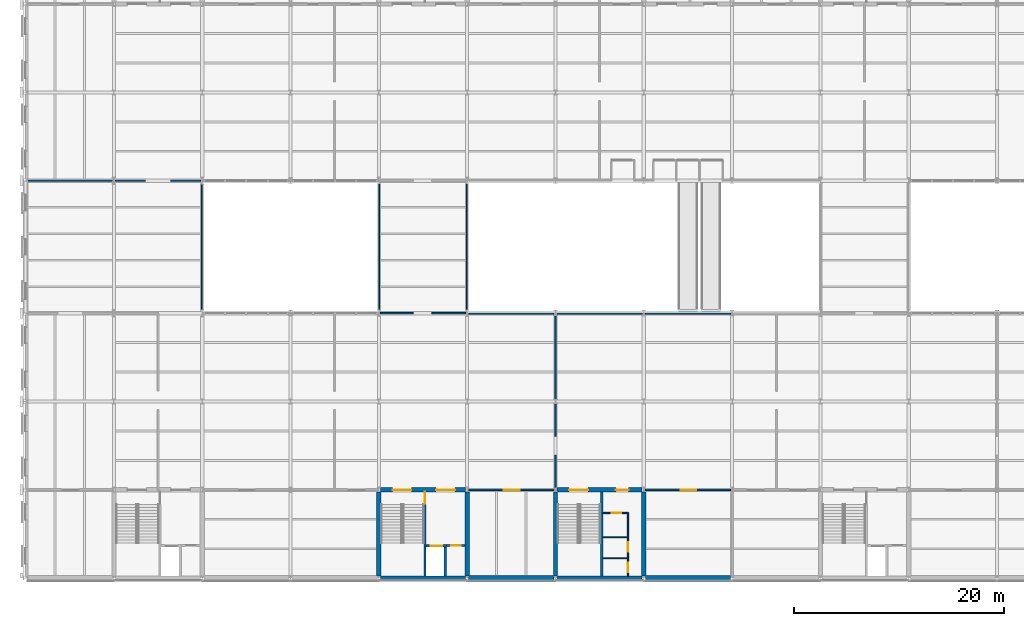
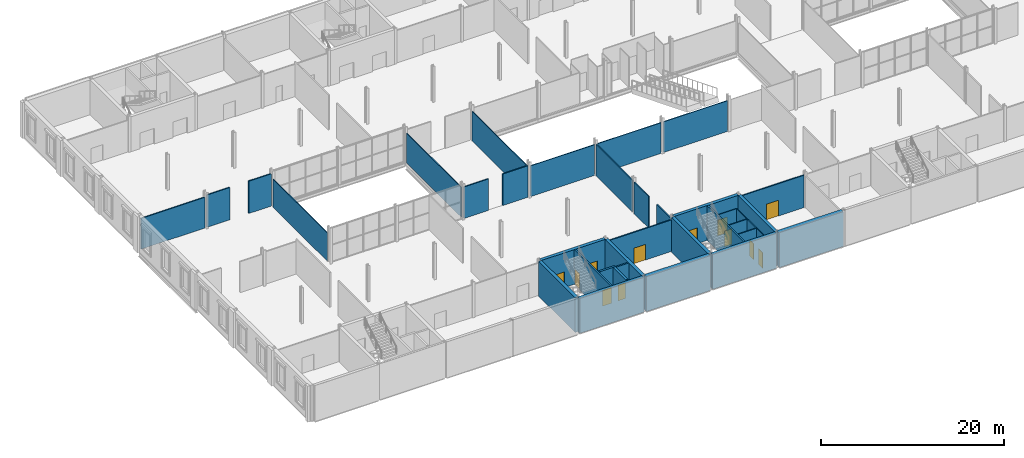
# One storey, part 29 of 52: 37 walls, 12 doors, 12 openings.
"""IFC4 building model written with IfcOpenShell, lengths in metres."""

from ifc_helpers import new_model, si_unit, direction, frame, frame_2d, origin, place, context, subcontext, project, spatial, rectangle, extrude, material, layer, layer_set, type_object, element, fill, save


model = new_model("IFC4")

# Units and contexts
model_context = context("Model", 3, precision=1e-05, world=origin(), true_north=direction((0.0, 1.0)))
body_context = subcontext(model_context, "Body", "Model", "MODEL_VIEW")
ifc_project = project(units=[si_unit("LENGTHUNIT", "METRE"), si_unit("AREAUNIT", "SQUARE_METRE"), si_unit("VOLUMEUNIT", "CUBIC_METRE"), si_unit("PLANEANGLEUNIT", "RADIAN"), si_unit("MASSUNIT", "GRAM", prefix="KILO")], contexts=[model_context])

# Site, building, storey
site_placement = place(None, origin())
site = spatial("IfcSite", under=ifc_project, at=site_placement, CompositionType="ELEMENT")
building_placement = place(site_placement, origin())
building = spatial("IfcBuilding", under=site, at=building_placement, Name="Galleria Vessillo Department Store", CompositionType="ELEMENT")
storey_placement = place(building_placement, frame((0.0, 0.0, 16.199951171875)))
storey = spatial("IfcBuildingStorey", under=building, at=storey_placement, Name="L03", CompositionType="ELEMENT", Elevation=16.199951171875)

# Walls
ifc_material_1 = material(Name="Fire-resisting glass in steel frame S355 J2", Category="steel")
ifc_layer_1 = layer(ifc_material_1, 0.10009765625)
ifc_layer_set_1 = layer_set([ifc_layer_1], Name="Fire-resisting glass in steel frame S355 J2")
wall_type_1 = type_object("IfcWallType", Name="Fire-resisting glazed screen EI 120-Sa 100 mm", PredefinedType="PARTITIONING", material=ifc_layer_set_1)
wall_1_placement = place(storey_placement, frame((42.152587890625, 25.14990234375, 0.0), z_axis=(0.0, 0.0, 1.0), x_axis=(1.0, 0.0, 0.0)))
element("IfcWall", 1, at=wall_1_placement, inside=storey, type_object=wall_type_1, Name="Fire screen, atrium edge L03", PredefinedType="PARTITIONING", context=body_context, shape_type="SweptSolid", body=[
    extrude(rectangle(XDim=8.094482421875, YDim=0.10009765625, at=frame_2d((4.04736328125, 0.0))), origin(), (0.0, 0.0, 1.0), 4.110107421875),
])
wall_2_placement = place(storey_placement, frame((50.552978515625, 25.14990234375, 0.0), z_axis=(0.0, 0.0, 1.0), x_axis=(1.0, 0.0, 0.0)))
element("IfcWall", 2, at=wall_2_placement, inside=storey, type_object=wall_type_1, Name="Fire screen, atrium edge L03", PredefinedType="PARTITIONING", context=body_context, shape_type="SweptSolid", body=[
    extrude(rectangle(XDim=8.093994140625, YDim=0.10009765625, at=frame_2d((4.046875, 0.0))), origin(), (0.0, 0.0, 1.0), 4.110107421875),
])
wall_3_placement = place(storey_placement, frame((58.952880859375, 25.14990234375, 0.0), z_axis=(0.0, 0.0, 1.0), x_axis=(1.0, 0.0, 0.0)))
element("IfcWall", 3, at=wall_3_placement, inside=storey, type_object=wall_type_1, Name="Fire screen, atrium edge L03", PredefinedType="PARTITIONING", context=body_context, shape_type="SweptSolid", body=[
    extrude(rectangle(XDim=8.09423828125, YDim=0.10009765625, at=frame_2d((4.047119140625, 0.0))), origin(), (0.0, 0.0, 1.0), 4.110107421875),
])
for number, where, z_axis, x_axis, name in (
    (4, (33.64990234375, 25.510009765625, 0.0), (0.0, 0.0, 1.0), (0.0, 1.0, 0.0), "Fire screen, bridge face L03"),
    (5, (41.949951171875, 25.510009765625, 0.0), (0.0, 0.0, 1.0), (0.0, 1.0, 0.0), "Fire screen, bridge face L03"),
):
    element("IfcWall", number, at=place(storey_placement, frame(where, z_axis=z_axis, x_axis=x_axis)), inside=storey, type_object=wall_type_1, Name=name, PredefinedType="PARTITIONING", context=body_context, shape_type="SweptSolid", body=[
        extrude(rectangle(XDim=11.97998046875, YDim=0.10009765625, at=frame_2d((5.989990234375, 0.0))), origin(), (0.0, 0.0, 1.0), 3.960205078125),
    ])
wall_4_placement = place(storey_placement, frame((16.75, 25.533935546875, 0.0), z_axis=(0.0, 0.0, 1.0), x_axis=(0.0, 1.0, 0.0)))
element("IfcWall", 6, at=wall_4_placement, inside=storey, type_object=wall_type_1, Name="Fire screen, arcade end L03", PredefinedType="PARTITIONING", context=body_context, shape_type="SweptSolid", body=[
    extrude(rectangle(XDim=11.93212890625, YDim=0.10009765625, at=frame_2d((5.966064453125, 0.0))), origin(), (0.0, 0.0, 1.0), 3.760009765625),
])

# Wall, opening, door
ifc_material_2 = material(Name="Solid clay block masonry", Category="masonry")
ifc_layer_2 = layer(ifc_material_2, 0.25)
ifc_layer_set_2 = layer_set([ifc_layer_2], Name="Solid clay block masonry")
wall_type_2 = type_object("IfcWallType", Name="Lift shaft wall 250 mm", PredefinedType="SOLIDWALL", material=ifc_layer_set_2)
wall_5_placement = place(storey_placement, frame((38.10009765625, 3.074951171875, 0.0), z_axis=(0.0, 0.0, 1.0), x_axis=(1.0, 0.0, 0.0)))
wall_5 = element("IfcWall", 7, at=wall_5_placement, inside=storey, type_object=wall_type_2, Name="Lift shaft wall LP3 landing side L03", PredefinedType="SOLIDWALL", context=body_context, shape_type="SweptSolid", body=[
    extrude(rectangle(XDim=1.949951171875, YDim=0.25, at=frame_2d((0.97509765625, 0.0))), origin(), (0.0, 0.0, 1.0), 4.800048828125),
])
opening_1_placement = place(wall_5_placement, frame((0.4248046875, 0.0, 0.0)))
opening_1 = element("IfcOpeningElement", 8, at=opening_1_placement, cuts=wall_5, Name="Opening LD022", PredefinedType="OPENING", context=body_context, shape_type="SweptSolid", body=[
    extrude(rectangle(XDim=1.10009765625, YDim=2.10009765625, at=frame_2d((0.550048828125, 1.050048828125))), frame((0.0, 0.135009765625, 0.0), z_axis=(0.0, -1.0, 0.0), x_axis=(1.0, 0.0, 0.0)), (0.0, 0.0, 1.0), 0.27001953125),
])
ifc_material_3 = material(Name="Stainless steel lift door panel", Category="steel")
door_type_1 = type_object("IfcDoorType", Name="Lift landing door LD110 sliding 1100 x 2100", OperationType="SLIDING_TO_LEFT", PredefinedType="DOOR", material=ifc_material_3)
door_1_placement = place(opening_1_placement, origin())
door_1 = element("IfcDoor", 9, at=door_1_placement, inside=storey, type_object=door_type_1, Name="Lift landing door LP3 L03", OperationType="SLIDING_TO_LEFT", OverallHeight=2.10009765625, OverallWidth=1.10009765625, PredefinedType="DOOR", context=body_context, shape_type="SweptSolid", body=[
    extrude(rectangle(XDim=1.10009765625, YDim=2.10009765625, at=frame_2d((0.550048828125, 1.050048828125))), frame((0.0, 0.02490234375, 0.0), z_axis=(0.0, -1.0, 0.0), x_axis=(1.0, 0.0, 0.0)), (0.0, 0.0, 1.0), 0.050048828125),
])
fill(opening_1, door_1)

# Wall
wall_6_placement = place(storey_placement, frame((39.925048828125, 0.199951171875, 0.0), z_axis=(0.0, 0.0, 1.0), x_axis=(0.0, 1.0, 0.0)))
element("IfcWall", 10, at=wall_6_placement, inside=storey, type_object=wall_type_2, Name="Lift shaft wall LP3 L03", PredefinedType="SOLIDWALL", context=body_context, shape_type="SweptSolid", body=[
    extrude(rectangle(XDim=2.75, YDim=0.25, at=frame_2d((1.375, 0.0))), origin(), (0.0, 0.0, 1.0), 4.800048828125),
])

# Wall, openings, doors
ifc_material_4 = material(Name="Concrete C32/40 reinforced", Category="concrete")
ifc_layer_3 = layer(ifc_material_4, 0.39990234375)
ifc_layer_set_3 = layer_set([ifc_layer_3], Name="Concrete C32/40 reinforced")
wall_type_3 = type_object("IfcWallType", Name="Reinforced concrete core wall 400 mm", PredefinedType="SHEAR", material=ifc_layer_set_3)
wall_7_placement = place(storey_placement, frame((33.75, 8.39990234375, 0.0), z_axis=(0.0, 0.0, 1.0), x_axis=(1.0, 0.0, 0.0)))
wall_7 = element("IfcWall", 11, at=wall_7_placement, inside=storey, type_object=wall_type_3, Name="S-CW-PC-SM-INTERIOR-L03", PredefinedType="SHEAR", context=body_context, shape_type="SweptSolid", body=[
    extrude(rectangle(XDim=8.10009765625, YDim=0.39990234375, at=frame_2d((4.050048828125, 0.0))), origin(), (0.0, 0.0, 1.0), 4.650146484375),
])
opening_2_placement = place(wall_7_placement, frame((1.14990234375, 0.0, 0.0)))
opening_2 = element("IfcOpeningElement", 12, at=opening_2_placement, cuts=wall_7, Name="Opening D5086", PredefinedType="OPENING", context=body_context, shape_type="SweptSolid", body=[
    extrude(rectangle(XDim=1.800048828125, YDim=2.10009765625, at=frame_2d((0.89990234375, 1.050048828125))), frame((0.0, 0.2099609375, 0.0), z_axis=(0.0, -1.0, 0.0), x_axis=(1.0, 0.0, 0.0)), (0.0, 0.0, 1.0), 0.419921875),
])
opening_3_placement = place(wall_7_placement, frame((5.2998046875, 0.0, 0.0)))
opening_3 = element("IfcOpeningElement", 13, at=opening_3_placement, cuts=wall_7, Name="Opening D5087", PredefinedType="OPENING", context=body_context, shape_type="SweptSolid", body=[
    extrude(rectangle(XDim=1.800048828125, YDim=2.10009765625, at=frame_2d((0.89990234375, 1.050048828125))), frame((0.0, 0.2099609375, 0.0), z_axis=(0.0, -1.0, 0.0), x_axis=(1.0, 0.0, 0.0)), (0.0, 0.0, 1.0), 0.419921875),
])
ifc_material_5 = material(Name="Fire-rated steel door leaf", Category="steel")
door_type_2 = type_object("IfcDoorType", Name="Door D180F double leaf 1800 x 2100", OperationType="DOUBLE_DOOR_SINGLE_SWING", PredefinedType="DOOR", material=ifc_material_5)
door_2_placement = place(opening_2_placement, frame((1.800048828125, 0.0, 0.0), z_axis=(0.0, 0.0, 1.0), x_axis=(-1.0, 0.0, 0.0)))
door_2 = element("IfcDoor", 14, at=door_2_placement, inside=storey, type_object=door_type_2, Name="Lobby door PC-SM-ST-FLOOR L03", OperationType="DOUBLE_DOOR_SINGLE_SWING", OverallHeight=2.10009765625, OverallWidth=1.800048828125, PredefinedType="DOOR", context=body_context, shape_type="SweptSolid", body=[
    extrude(rectangle(XDim=1.800048828125, YDim=2.10009765625, at=frame_2d((0.89990234375, 1.050048828125))), frame((0.0, 0.02490234375, 0.0), z_axis=(0.0, -1.0, 0.0), x_axis=(1.0, 0.0, 0.0)), (0.0, 0.0, 1.0), 0.050048828125),
])
fill(opening_2, door_2)
door_3_placement = place(opening_3_placement, frame((1.800048828125, 0.0, 0.0), z_axis=(0.0, 0.0, 1.0), x_axis=(-1.0, 0.0, 0.0)))
door_3 = element("IfcDoor", 15, at=door_3_placement, inside=storey, type_object=door_type_2, Name="Lobby door PC-SM-LOBBY-FLOOR L03", OperationType="DOUBLE_DOOR_SINGLE_SWING", OverallHeight=2.10009765625, OverallWidth=1.800048828125, PredefinedType="DOOR", context=body_context, shape_type="SweptSolid", body=[
    extrude(rectangle(XDim=1.800048828125, YDim=2.10009765625, at=frame_2d((0.89990234375, 1.050048828125))), frame((0.0, 0.02490234375, 0.0), z_axis=(0.0, -1.0, 0.0), x_axis=(1.0, 0.0, 0.0)), (0.0, 0.0, 1.0), 0.050048828125),
])
fill(opening_3, door_3)

# Walls
for number, where, z_axis, x_axis, name in (
    (16, (33.60009765625, 0.199951171875, 0.0), (0.0, 0.0, 1.0), (0.0, 1.0, 0.0), "S-CW-PC-SM-WEST-L03"),
    (17, (42.0, 0.199951171875, 0.0), (0.0, 0.0, 1.0), (0.0, 1.0, 0.0), "S-CW-PC-SM-EAST-L03"),
):
    element("IfcWall", number, at=place(storey_placement, frame(where, z_axis=z_axis, x_axis=x_axis)), inside=storey, type_object=wall_type_3, Name=name, PredefinedType="SHEAR", context=body_context, shape_type="SweptSolid", body=[
        extrude(rectangle(XDim=8.0, YDim=0.39990234375, at=frame_2d((4.0, 0.0))), origin(), (0.0, 0.0, 1.0), 4.650146484375),
    ])

# Wall, openings, doors
wall_8_placement = place(storey_placement, frame((50.5498046875, 8.39990234375, 0.0), z_axis=(0.0, 0.0, 1.0), x_axis=(1.0, 0.0, 0.0)))
wall_8 = element("IfcWall", 18, at=wall_8_placement, inside=storey, type_object=wall_type_3, Name="S-CW-PC-SC-INTERIOR-L03", PredefinedType="SHEAR", context=body_context, shape_type="SweptSolid", body=[
    extrude(rectangle(XDim=8.100341796875, YDim=0.39990234375, at=frame_2d((4.05029296875, 0.0))), origin(), (0.0, 0.0, 1.0), 4.650146484375),
])
opening_4_placement = place(wall_8_placement, frame((1.150146484375, 0.0, 0.0)))
opening_4 = element("IfcOpeningElement", 19, at=opening_4_placement, cuts=wall_8, Name="Opening D5198", PredefinedType="OPENING", context=body_context, shape_type="SweptSolid", body=[
    extrude(rectangle(XDim=1.800048828125, YDim=2.10009765625, at=frame_2d((0.89990234375, 1.050048828125))), frame((0.0, 0.2099609375, 0.0), z_axis=(0.0, -1.0, 0.0), x_axis=(1.0, 0.0, 0.0)), (0.0, 0.0, 1.0), 0.419921875),
])
opening_5_placement = place(wall_8_placement, frame((5.60009765625, 0.0, 0.0)))
opening_5 = element("IfcOpeningElement", 20, at=opening_5_placement, cuts=wall_8, Name="Opening D5199", PredefinedType="OPENING", context=body_context, shape_type="SweptSolid", body=[
    extrude(rectangle(XDim=1.199951171875, YDim=2.10009765625, at=frame_2d((0.60009765625, 1.050048828125))), frame((0.0, 0.2099609375, 0.0), z_axis=(0.0, -1.0, 0.0), x_axis=(1.0, 0.0, 0.0)), (0.0, 0.0, 1.0), 0.419921875),
])
ifc_material_6 = material(Name="Fire-rated steel door leaf", Category="steel")
door_type_3 = type_object("IfcDoorType", Name="Door D120F fire door 1200 x 2100", OperationType="SINGLE_SWING_LEFT", PredefinedType="DOOR", material=ifc_material_6)
door_4_placement = place(opening_5_placement, frame((1.199951171875, 0.0, 0.0), z_axis=(0.0, 0.0, 1.0), x_axis=(-1.0, 0.0, 0.0)))
door_4 = element("IfcDoor", 21, at=door_4_placement, inside=storey, type_object=door_type_3, Name="Lobby door PC-SC-WC-FLOOR L03", OperationType="SINGLE_SWING_LEFT", OverallHeight=2.10009765625, OverallWidth=1.199951171875, PredefinedType="DOOR", context=body_context, shape_type="SweptSolid", body=[
    extrude(rectangle(XDim=1.199951171875, YDim=2.10009765625, at=frame_2d((0.60009765625, 1.050048828125))), frame((0.0, 0.02490234375, 0.0), z_axis=(0.0, -1.0, 0.0), x_axis=(1.0, 0.0, 0.0)), (0.0, 0.0, 1.0), 0.050048828125),
])
fill(opening_5, door_4)
door_5_placement = place(opening_4_placement, frame((1.800048828125, 0.0, 0.0), z_axis=(0.0, 0.0, 1.0), x_axis=(-1.0, 0.0, 0.0)))
door_5 = element("IfcDoor", 22, at=door_5_placement, inside=storey, type_object=door_type_2, Name="Lobby door PC-SC-ST-FLOOR L03", OperationType="DOUBLE_DOOR_SINGLE_SWING", OverallHeight=2.10009765625, OverallWidth=1.800048828125, PredefinedType="DOOR", context=body_context, shape_type="SweptSolid", body=[
    extrude(rectangle(XDim=1.800048828125, YDim=2.10009765625, at=frame_2d((0.89990234375, 1.050048828125))), frame((0.0, 0.02490234375, 0.0), z_axis=(0.0, -1.0, 0.0), x_axis=(1.0, 0.0, 0.0)), (0.0, 0.0, 1.0), 0.050048828125),
])
fill(opening_4, door_5)

# Walls
for number, where, z_axis, x_axis, name in (
    (23, (50.39990234375, 0.199951171875, 0.0), (0.0, 0.0, 1.0), (0.0, 1.0, 0.0), "S-CW-PC-SC-WEST-L03"),
    (24, (58.800048828125, 0.199951171875, 0.0), (0.0, 0.0, 1.0), (0.0, 1.0, 0.0), "S-CW-PC-SC-EAST-L03"),
):
    element("IfcWall", number, at=place(storey_placement, frame(where, z_axis=z_axis, x_axis=x_axis)), inside=storey, type_object=wall_type_3, Name=name, PredefinedType="SHEAR", context=body_context, shape_type="SweptSolid", body=[
        extrude(rectangle(XDim=8.0, YDim=0.39990234375, at=frame_2d((4.0, 0.0))), origin(), (0.0, 0.0, 1.0), 4.650146484375),
    ])
ifc_material_7 = material(Name="Concrete C32/40 reinforced", Category="concrete")
ifc_layer_4 = layer(ifc_material_7, 0.39990234375)
ifc_layer_set_4 = layer_set([ifc_layer_4], Name="Concrete C32/40 reinforced")
wall_type_4 = type_object("IfcWallType", Name="Reinforced concrete core wall 400 mm, external", PredefinedType="SHEAR", material=ifc_layer_set_4)
wall_9_placement = place(storey_placement, frame((33.75, 0.0, 0.0), z_axis=(0.0, 0.0, 1.0), x_axis=(1.0, 0.0, 0.0)))
element("IfcWall", 25, at=wall_9_placement, inside=storey, type_object=wall_type_4, Name="S-CW-PC-SM-PARTY-L03", PredefinedType="SHEAR", context=body_context, shape_type="SweptSolid", body=[
    extrude(rectangle(XDim=8.10009765625, YDim=0.39990234375, at=frame_2d((4.050048828125, 0.0))), origin(), (0.0, 0.0, 1.0), 4.650146484375),
])
wall_10_placement = place(storey_placement, frame((50.5498046875, 0.0, 0.0), z_axis=(0.0, 0.0, 1.0), x_axis=(1.0, 0.0, 0.0)))
element("IfcWall", 26, at=wall_10_placement, inside=storey, type_object=wall_type_4, Name="S-CW-PC-SC-PARTY-L03", PredefinedType="SHEAR", context=body_context, shape_type="SweptSolid", body=[
    extrude(rectangle(XDim=8.100341796875, YDim=0.39990234375, at=frame_2d((4.05029296875, 0.0))), origin(), (0.0, 0.0, 1.0), 4.650146484375),
])
ifc_material_8 = material(Name="Concrete C32/40 reinforced", Category="concrete")
ifc_layer_5 = layer(ifc_material_8, 0.5)
ifc_layer_set_5 = layer_set([ifc_layer_5], Name="Concrete C32/40 reinforced")
wall_type_5 = type_object("IfcWallType", Name="Reinforced concrete party wall 500 mm", PredefinedType="SHEAR", material=ifc_layer_set_5)
for number, where, z_axis, x_axis, name in (
    (27, (42.14990234375, 0.0, 0.0), (0.0, 0.0, 1.0), (1.0, 0.0, 0.0), "S-PS-L03-04"),
    (28, (58.949951171875, 0.0, 0.0), (0.0, 0.0, 1.0), (1.0, 0.0, 0.0), "S-PS-L03-05"),
):
    element("IfcWall", number, at=place(storey_placement, frame(where, z_axis=z_axis, x_axis=x_axis)), inside=storey, type_object=wall_type_5, Name=name, PredefinedType="SHEAR", context=body_context, shape_type="SweptSolid", body=[
        extrude(rectangle(XDim=8.10009765625, YDim=0.5, at=frame_2d((4.050048828125, 0.0))), origin(), (0.0, 0.0, 1.0), 4.650146484375),
    ])

# Wall, opening, door
ifc_material_9 = material(Name="Concrete C32/40 reinforced", Category="concrete")
ifc_layer_6 = layer(ifc_material_9, 0.199951171875)
ifc_layer_set_6 = layer_set([ifc_layer_6], Name="Concrete C32/40 reinforced")
wall_type_6 = type_object("IfcWallType", Name="Reinforced concrete stair enclosure wall 200 mm", PredefinedType="SHEAR", material=ifc_layer_set_6)
wall_11_placement = place(storey_placement, frame((38.0, 0.199951171875, 0.0), z_axis=(0.0, 0.0, 1.0), x_axis=(0.0, 1.0, 0.0)))
wall_11 = element("IfcWall", 29, at=wall_11_placement, inside=storey, type_object=wall_type_6, Name="Stair enclosure wall PC-SM L03", PredefinedType="SHEAR", context=body_context, shape_type="SweptSolid", body=[
    extrude(rectangle(XDim=8.0, YDim=0.199951171875, at=frame_2d((4.0, 0.0))), origin(), (0.0, 0.0, 1.0), 4.650146484375),
])
opening_6_placement = place(wall_11_placement, frame((6.89990234375, 0.0, 0.0)))
opening_6 = element("IfcOpeningElement", 30, at=opening_6_placement, cuts=wall_11, Name="Opening D5084", PredefinedType="OPENING", context=body_context, shape_type="SweptSolid", body=[
    extrude(rectangle(XDim=1.11009765625, YDim=2.10009765625, at=frame_2d((0.554931640625, 1.050048828125))), frame((0.0, 0.10986328125, 0.0), z_axis=(0.0, -1.0, 0.0), x_axis=(1.0, 0.0, 0.0)), (0.0, 0.0, 1.0), 0.219970703125),
])
ifc_material_10 = material(Name="Fire-rated steel door leaf", Category="steel")
door_type_4 = type_object("IfcDoorType", Name="Door D110F stair door 1100 x 2100", OperationType="SINGLE_SWING_LEFT", PredefinedType="DOOR", material=ifc_material_10)
door_6_placement = place(opening_6_placement, origin())
door_6 = element("IfcDoor", 31, at=door_6_placement, inside=storey, type_object=door_type_4, Name="Stair door PC-SM-ST-LOBBY L03", OperationType="SINGLE_SWING_RIGHT", OverallHeight=2.10009765625, OverallWidth=1.10009765625, PredefinedType="DOOR", context=body_context, shape_type="SweptSolid", body=[
    extrude(rectangle(XDim=1.10009765625, YDim=2.10009765625, at=frame_2d((0.550048828125, 1.050048828125))), frame((0.0, 0.02490234375, 0.0), z_axis=(0.0, -1.0, 0.0), x_axis=(1.0, 0.0, 0.0)), (0.0, 0.0, 1.0), 0.050048828125),
])
fill(opening_6, door_6)

# Wall
wall_12_placement = place(storey_placement, frame((54.7998046875, 0.199951171875, 0.0), z_axis=(0.0, 0.0, 1.0), x_axis=(0.0, 1.0, 0.0)))
element("IfcWall", 32, at=wall_12_placement, inside=storey, type_object=wall_type_6, Name="Stair enclosure wall PC-SC L03", PredefinedType="SHEAR", context=body_context, shape_type="SweptSolid", body=[
    extrude(rectangle(XDim=8.0, YDim=0.199951171875, at=frame_2d((4.0, 0.0))), origin(), (0.0, 0.0, 1.0), 4.650146484375),
])

# Wall, opening, door
ifc_material_11 = material(Name="Hollow clay block masonry", Category="masonry")
ifc_layer_7 = layer(ifc_material_11, 0.199951171875)
ifc_layer_set_7 = layer_set([ifc_layer_7], Name="Hollow clay block masonry")
wall_type_7 = type_object("IfcWallType", Name="Riser and service room wall 200 mm", PredefinedType="PARTITIONING", material=ifc_layer_set_7)
wall_13_placement = place(storey_placement, frame((40.050048828125, 3.099853515625, 0.0), z_axis=(0.0, 0.0, 1.0), x_axis=(1.0, 0.0, 0.0)))
wall_13 = element("IfcWall", 33, at=wall_13_placement, inside=storey, type_object=wall_type_7, Name="Riser wall PC-SM-RISER L03", PredefinedType="PARTITIONING", context=body_context, shape_type="SweptSolid", body=[
    extrude(rectangle(XDim=1.75, YDim=0.199951171875, at=frame_2d((0.875, 0.0))), origin(), (0.0, 0.0, 1.0), 4.650146484375),
])
opening_7_placement = place(wall_13_placement, frame((0.449951171875, 0.0, 0.0)))
opening_7 = element("IfcOpeningElement", 34, at=opening_7_placement, cuts=wall_13, Name="Opening D5085", PredefinedType="OPENING", context=body_context, shape_type="SweptSolid", body=[
    extrude(rectangle(XDim=0.89990234375, YDim=2.10009765625, at=frame_2d((0.449951171875, 1.050048828125))), frame((0.0, 0.10986328125, 0.0), z_axis=(0.0, -1.0, 0.0), x_axis=(1.0, 0.0, 0.0)), (0.0, 0.0, 1.0), 0.219970703125),
])
ifc_material_12 = material(Name="Fire-rated steel door leaf", Category="steel")
door_type_5 = type_object("IfcDoorType", Name="Door DR90 riser access 900 x 2100", OperationType="SINGLE_SWING_LEFT", PredefinedType="DOOR", material=ifc_material_12)
door_7_placement = place(opening_7_placement, frame((0.89990234375, 0.0, 0.0), z_axis=(0.0, 0.0, 1.0), x_axis=(-1.0, 0.0, 0.0)))
door_7 = element("IfcDoor", 35, at=door_7_placement, inside=storey, type_object=door_type_5, Name="Riser door PC-SM-RISER-D L03", OperationType="SINGLE_SWING_LEFT", OverallHeight=2.10009765625, OverallWidth=0.89990234375, PredefinedType="DOOR", context=body_context, shape_type="SweptSolid", body=[
    extrude(rectangle(XDim=0.89990234375, YDim=2.10009765625, at=frame_2d((0.449951171875, 1.050048828125))), frame((0.0, 0.02490234375, 0.0), z_axis=(0.0, -1.0, 0.0), x_axis=(1.0, 0.0, 0.0)), (0.0, 0.0, 1.0), 0.050048828125),
])
fill(opening_7, door_7)

# Walls
ifc_material_13 = material(Name="Gypsum board partition")
ifc_layer_8 = layer(ifc_material_13, 0.139892578125)
ifc_layer_set_8 = layer_set([ifc_layer_8], Name="Gypsum board partition")
wall_type_8 = type_object("IfcWallType", Name="Sales dividing wall 140 mm", PredefinedType="PARTITIONING", material=ifc_layer_set_8)
for number, where, z_axis, x_axis, name in (
    (36, (50.39990234375, 8.599853515625, 0.0), (0.0, 0.0, 1.0), (0.0, 1.0, 0.0), "Partition wall PT3 on L03 no. 044"),
    (37, (50.39990234375, 13.5, 0.0), (0.0, 0.0, 1.0), (0.0, 1.0, 0.0), "Partition wall PT3 on L03 no. 045"),
):
    element("IfcWall", number, at=place(storey_placement, frame(where, z_axis=z_axis, x_axis=x_axis)), inside=storey, type_object=wall_type_8, Name=name, PredefinedType="PARTITIONING", context=body_context, shape_type="SweptSolid", body=[
        extrude(rectangle(XDim=3.10009765625, YDim=0.139892578125, at=frame_2d((1.550048828125, 0.0))), origin(), (0.0, 0.0, 1.0), 4.210205078125),
    ])
wall_14_placement = place(storey_placement, frame((50.39990234375, 17.0, 0.0), z_axis=(0.0, 0.0, 1.0), x_axis=(0.0, 1.0, 0.0)))
element("IfcWall", 38, at=wall_14_placement, inside=storey, type_object=wall_type_8, Name="Partition wall PT3 on L03 no. 046", PredefinedType="PARTITIONING", context=body_context, shape_type="SweptSolid", body=[
    extrude(rectangle(XDim=7.93798828125, YDim=0.139892578125, at=frame_2d((3.968994140625, 0.0))), origin(), (0.0, 0.0, 1.0), 4.210205078125),
])
wall_15_placement = place(storey_placement, frame((33.752685546875, 25.199951171875, 0.0), z_axis=(0.0, 0.0, 1.0), x_axis=(1.0, 0.0, 0.0)))
element("IfcWall", 39, at=wall_15_placement, inside=storey, type_object=wall_type_8, Name="Partition wall PT3 on L03 no. 047", PredefinedType="PARTITIONING", context=body_context, shape_type="SweptSolid", body=[
    extrude(rectangle(XDim=3.099853515625, YDim=0.139892578125, at=frame_2d((1.5498046875, 0.0))), origin(), (0.0, 0.0, 1.0), 4.210205078125),
])
wall_16_placement = place(storey_placement, frame((38.652587890625, 25.199951171875, 0.0), z_axis=(0.0, 0.0, 1.0), x_axis=(1.0, 0.0, 0.0)))
element("IfcWall", 40, at=wall_16_placement, inside=storey, type_object=wall_type_8, Name="Partition wall PT3 on L03 no. 048", PredefinedType="PARTITIONING", context=body_context, shape_type="SweptSolid", body=[
    extrude(rectangle(XDim=3.19482421875, YDim=0.139892578125, at=frame_2d((1.597412109375, 0.0))), origin(), (0.0, 0.0, 1.0), 4.210205078125),
])
wall_17_placement = place(storey_placement, frame((0.199951171875, 37.800048828125, 0.0), z_axis=(0.0, 0.0, 1.0), x_axis=(1.0, 0.0, 0.0)))
element("IfcWall", 41, at=wall_17_placement, inside=storey, type_object=wall_type_8, Name="Partition wall PT3 on L03 no. 063", PredefinedType="PARTITIONING", context=body_context, shape_type="SweptSolid", body=[
    extrude(rectangle(XDim=8.04736328125, YDim=0.139892578125, at=frame_2d((4.023681640625, 0.0))), origin(), (0.0, 0.0, 1.0), 4.110107421875),
])
wall_18_placement = place(storey_placement, frame((8.552490234375, 37.800048828125, 0.0), z_axis=(0.0, 0.0, 1.0), x_axis=(1.0, 0.0, 0.0)))
element("IfcWall", 42, at=wall_18_placement, inside=storey, type_object=wall_type_8, Name="Partition wall PT3 on L03 no. 064", PredefinedType="PARTITIONING", context=body_context, shape_type="SweptSolid", body=[
    extrude(rectangle(XDim=2.849853515625, YDim=0.139892578125, at=frame_2d((1.4248046875, 0.0))), origin(), (0.0, 0.0, 1.0), 4.320068359375),
])
wall_19_placement = place(storey_placement, frame((13.802490234375, 37.800048828125, 0.0), z_axis=(0.0, 0.0, 1.0), x_axis=(1.0, 0.0, 0.0)))
element("IfcWall", 43, at=wall_19_placement, inside=storey, type_object=wall_type_8, Name="Partition wall PT3 on L03 no. 065", PredefinedType="PARTITIONING", context=body_context, shape_type="SweptSolid", body=[
    extrude(rectangle(XDim=2.844970703125, YDim=0.139892578125, at=frame_2d((1.42236328125, 0.0))), origin(), (0.0, 0.0, 1.0), 4.320068359375),
])

# Wall, opening, door
ifc_material_14 = material(Name="Concrete blockwork", Category="masonry")
ifc_layer_9 = layer(ifc_material_14, 0.14990234375)
ifc_layer_set_9 = layer_set([ifc_layer_9], Name="Concrete blockwork")
wall_type_9 = type_object("IfcWallType", Name="Stockroom blockwork wall 150 mm", PredefinedType="SOLIDWALL", material=ifc_layer_set_9)
wall_20_placement = place(storey_placement, frame((42.14990234375, 8.39990234375, 0.0), z_axis=(0.0, 0.0, 1.0), x_axis=(1.0, 0.0, 0.0)))
wall_20 = element("IfcWall", 44, at=wall_20_placement, inside=storey, type_object=wall_type_9, Name="Partition wall PT4 on L03 no. 016", PredefinedType="SOLIDWALL", context=body_context, shape_type="SweptSolid", body=[
    extrude(rectangle(XDim=8.10009765625, YDim=0.14990234375, at=frame_2d((4.050048828125, 0.0))), origin(), (0.0, 0.0, 1.0), 4.210205078125),
])
opening_8_placement = place(wall_20_placement, frame((3.35009765625, 0.0, 0.0)))
opening_8 = element("IfcOpeningElement", 45, at=opening_8_placement, cuts=wall_20, Name="Opening D2509", PredefinedType="OPENING", context=body_context, shape_type="SweptSolid", body=[
    extrude(rectangle(XDim=1.5, YDim=2.10009765625, at=frame_2d((0.75, 1.050048828125))), frame((0.0, 0.0849609375, 0.0), z_axis=(0.0, -1.0, 0.0), x_axis=(1.0, 0.0, 0.0)), (0.0, 0.0, 1.0), 0.169921875),
])
ifc_material_15 = material(Name="Steel fire door leaf", Category="steel")
door_type_6 = type_object("IfcDoorType", Name="Stockroom fire door 1500 double leaf", OperationType="DOUBLE_DOOR_SINGLE_SWING", PredefinedType="DOOR", material=ifc_material_15)
door_8_placement = place(opening_8_placement, frame((1.5, 0.0, 0.0), z_axis=(0.0, 0.0, 1.0), x_axis=(-1.0, 0.0, 0.0)))
door_8 = element("IfcDoor", 46, at=door_8_placement, inside=storey, type_object=door_type_6, Name="Door D2509", OperationType="DOUBLE_DOOR_SINGLE_SWING", OverallHeight=2.10009765625, OverallWidth=1.5, PredefinedType="DOOR", context=body_context, shape_type="SweptSolid", body=[
    extrude(rectangle(XDim=1.5, YDim=2.10009765625, at=frame_2d((0.75, 1.050048828125))), frame((0.0, 0.02490234375, 0.0), z_axis=(0.0, -1.0, 0.0), x_axis=(1.0, 0.0, 0.0)), (0.0, 0.0, 1.0), 0.050048828125),
])
fill(opening_8, door_8)

wall_21_placement = place(storey_placement, frame((58.949951171875, 8.39990234375, 0.0), z_axis=(0.0, 0.0, 1.0), x_axis=(1.0, 0.0, 0.0)))
wall_21 = element("IfcWall", 47, at=wall_21_placement, inside=storey, type_object=wall_type_9, Name="Partition wall PT4 on L03 no. 018", PredefinedType="SOLIDWALL", context=body_context, shape_type="SweptSolid", body=[
    extrude(rectangle(XDim=8.10009765625, YDim=0.14990234375, at=frame_2d((4.050048828125, 0.0))), origin(), (0.0, 0.0, 1.0), 4.320068359375),
])
opening_9_placement = place(wall_21_placement, frame((3.35009765625, 0.0, 0.0)))
opening_9 = element("IfcOpeningElement", 48, at=opening_9_placement, cuts=wall_21, Name="Opening D2510", PredefinedType="OPENING", context=body_context, shape_type="SweptSolid", body=[
    extrude(rectangle(XDim=1.5, YDim=2.10009765625, at=frame_2d((0.75, 1.050048828125))), frame((0.0, 0.0849609375, 0.0), z_axis=(0.0, -1.0, 0.0), x_axis=(1.0, 0.0, 0.0)), (0.0, 0.0, 1.0), 0.169921875),
])
door_9_placement = place(opening_9_placement, frame((1.5, 0.0, 0.0), z_axis=(0.0, 0.0, 1.0), x_axis=(-1.0, 0.0, 0.0)))
door_9 = element("IfcDoor", 49, at=door_9_placement, inside=storey, type_object=door_type_6, Name="Door D2510", OperationType="DOUBLE_DOOR_SINGLE_SWING", OverallHeight=2.10009765625, OverallWidth=1.5, PredefinedType="DOOR", context=body_context, shape_type="SweptSolid", body=[
    extrude(rectangle(XDim=1.5, YDim=2.10009765625, at=frame_2d((0.75, 1.050048828125))), frame((0.0, 0.02490234375, 0.0), z_axis=(0.0, -1.0, 0.0), x_axis=(1.0, 0.0, 0.0)), (0.0, 0.0, 1.0), 0.050048828125),
])
fill(opening_9, door_9)

ifc_material_16 = material(Name="Moisture-resistant board partition")
ifc_layer_10 = layer(ifc_material_16, 0.10009765625)
ifc_layer_set_10 = layer_set([ifc_layer_10], Name="Moisture-resistant board partition")
wall_type_10 = type_object("IfcWallType", Name="WC and cubicle partition 100 mm", PredefinedType="PARTITIONING", material=ifc_layer_set_10)
wall_22_placement = place(storey_placement, frame((54.89990234375, 6.199951171875, 0.0), z_axis=(0.0, 0.0, 1.0), x_axis=(1.0, 0.0, 0.0)))
wall_22 = element("IfcWall", 50, at=wall_22_placement, inside=storey, type_object=wall_type_10, Name="Partition wall PT1 on L03 no. 001", PredefinedType="PARTITIONING", context=body_context, shape_type="SweptSolid", body=[
    extrude(rectangle(XDim=2.39990234375, YDim=0.10009765625, at=frame_2d((1.199951171875, 0.0))), origin(), (0.0, 0.0, 1.0), 4.580078125),
])
opening_10_placement = place(wall_22_placement, frame((0.85009765625, 0.0, 0.0)))
opening_10 = element("IfcOpeningElement", 51, at=opening_10_placement, cuts=wall_22, Name="Opening D2501", PredefinedType="OPENING", context=body_context, shape_type="SweptSolid", body=[
    extrude(rectangle(XDim=0.89990234375, YDim=2.10009765625, at=frame_2d((0.449951171875, 1.050048828125))), frame((0.0, 0.06005859375, 0.0), z_axis=(0.0, -1.0, 0.0), x_axis=(1.0, 0.0, 0.0)), (0.0, 0.0, 1.0), 0.1201171875),
])
ifc_material_17 = material(Name="Timber and glass door leaf", Category="wood")
door_type_7 = type_object("IfcDoorType", Name="Floor door 900 single leaf", OperationType="SINGLE_SWING_LEFT", PredefinedType="DOOR", material=ifc_material_17)
door_10_placement = place(opening_10_placement, origin())
door_10 = element("IfcDoor", 52, at=door_10_placement, inside=storey, type_object=door_type_7, Name="Door D2501", OperationType="SINGLE_SWING_LEFT", OverallHeight=2.10009765625, OverallWidth=0.89990234375, PredefinedType="DOOR", context=body_context, shape_type="SweptSolid", body=[
    extrude(rectangle(XDim=0.89990234375, YDim=2.10009765625, at=frame_2d((0.449951171875, 1.050048828125))), frame((0.0, 0.02490234375, 0.0), z_axis=(0.0, -1.0, 0.0), x_axis=(1.0, 0.0, 0.0)), (0.0, 0.0, 1.0), 0.050048828125),
])
fill(opening_10, door_10)

# Wall
wall_23_placement = place(storey_placement, frame((57.2998046875, 3.89990234375, 0.0), z_axis=(0.0, 0.0, 1.0), x_axis=(0.0, 1.0, 0.0)))
element("IfcWall", 53, at=wall_23_placement, inside=storey, type_object=wall_type_10, Name="Partition wall PT1 on L03 no. 002", PredefinedType="PARTITIONING", context=body_context, shape_type="SweptSolid", body=[
    extrude(rectangle(XDim=2.300048828125, YDim=0.10009765625, at=frame_2d((1.14990234375, 0.0))), origin(), (0.0, 0.0, 1.0), 4.580078125),
])

# Wall, opening, door
wall_24_placement = place(storey_placement, frame((57.2998046875, 1.89990234375, 0.0), z_axis=(0.0, 0.0, 1.0), x_axis=(0.0, 1.0, 0.0)))
wall_24 = element("IfcWall", 54, at=wall_24_placement, inside=storey, type_object=wall_type_10, Name="Partition wall PT1 on L03 no. 003", PredefinedType="PARTITIONING", context=body_context, shape_type="SweptSolid", body=[
    extrude(rectangle(XDim=2.0, YDim=0.10009765625, at=frame_2d((1.0, 0.0))), origin(), (0.0, 0.0, 1.0), 4.580078125),
])
opening_11_placement = place(wall_24_placement, frame((0.60009765625, 0.0, 0.0)))
opening_11 = element("IfcOpeningElement", 55, at=opening_11_placement, cuts=wall_24, Name="Opening D2502", PredefinedType="OPENING", context=body_context, shape_type="SweptSolid", body=[
    extrude(rectangle(XDim=0.89990234375, YDim=2.10009765625, at=frame_2d((0.449951171875, 1.050048828125))), frame((0.0, 0.06005859375, 0.0), z_axis=(0.0, -1.0, 0.0), x_axis=(1.0, 0.0, 0.0)), (0.0, 0.0, 1.0), 0.1201171875),
])
door_11_placement = place(opening_11_placement, frame((0.89990234375, 0.0, 0.0), z_axis=(0.0, 0.0, 1.0), x_axis=(-1.0, 0.0, 0.0)))
door_11 = element("IfcDoor", 56, at=door_11_placement, inside=storey, type_object=door_type_7, Name="Door D2502", OperationType="SINGLE_SWING_RIGHT", OverallHeight=2.10009765625, OverallWidth=0.89990234375, PredefinedType="DOOR", context=body_context, shape_type="SweptSolid", body=[
    extrude(rectangle(XDim=0.89990234375, YDim=2.10009765625, at=frame_2d((0.449951171875, 1.050048828125))), frame((0.0, 0.02490234375, 0.0), z_axis=(0.0, -1.0, 0.0), x_axis=(1.0, 0.0, 0.0)), (0.0, 0.0, 1.0), 0.050048828125),
])
fill(opening_11, door_11)

wall_25_placement = place(storey_placement, frame((57.2998046875, 0.199951171875, 0.0), z_axis=(0.0, 0.0, 1.0), x_axis=(0.0, 1.0, 0.0)))
wall_25 = element("IfcWall", 57, at=wall_25_placement, inside=storey, type_object=wall_type_10, Name="Partition wall PT1 on L03 no. 004", PredefinedType="PARTITIONING", context=body_context, shape_type="SweptSolid", body=[
    extrude(rectangle(XDim=1.699951171875, YDim=0.10009765625, at=frame_2d((0.85009765625, 0.0))), origin(), (0.0, 0.0, 1.0), 4.580078125),
])
opening_12_placement = place(wall_25_placement, frame((0.35009765625, 0.0, 0.0)))
opening_12 = element("IfcOpeningElement", 58, at=opening_12_placement, cuts=wall_25, Name="Opening D2503", PredefinedType="OPENING", context=body_context, shape_type="SweptSolid", body=[
    extrude(rectangle(XDim=0.89990234375, YDim=2.10009765625, at=frame_2d((0.449951171875, 1.050048828125))), frame((0.0, 0.06005859375, 0.0), z_axis=(0.0, -1.0, 0.0), x_axis=(1.0, 0.0, 0.0)), (0.0, 0.0, 1.0), 0.1201171875),
])
ifc_material_18 = material(Name="Timber and glass door leaf", Category="wood")
door_type_8 = type_object("IfcDoorType", Name="Accessible WC door 900 sliding", OperationType="SLIDING_TO_LEFT", PredefinedType="DOOR", material=ifc_material_18)
door_12_placement = place(opening_12_placement, origin())
door_12 = element("IfcDoor", 59, at=door_12_placement, inside=storey, type_object=door_type_8, Name="Door D2503", OperationType="SLIDING_TO_RIGHT", OverallHeight=2.10009765625, OverallWidth=0.89990234375, PredefinedType="DOOR", context=body_context, shape_type="SweptSolid", body=[
    extrude(rectangle(XDim=0.89990234375, YDim=2.10009765625, at=frame_2d((0.449951171875, 1.050048828125))), frame((0.0, 0.02490234375, 0.0), z_axis=(0.0, -1.0, 0.0), x_axis=(1.0, 0.0, 0.0)), (0.0, 0.0, 1.0), 0.050048828125),
])
fill(opening_12, door_12)

# Walls
for number, where, z_axis, x_axis, name in (
    (60, (54.89990234375, 3.89990234375, 0.0), (0.0, 0.0, 1.0), (1.0, 0.0, 0.0), "Partition wall PT1 on L03 no. 005"),
    (61, (54.89990234375, 1.89990234375, 0.0), (0.0, 0.0, 1.0), (1.0, 0.0, 0.0), "Partition wall PT1 on L03 no. 006"),
):
    element("IfcWall", number, at=place(storey_placement, frame(where, z_axis=z_axis, x_axis=x_axis)), inside=storey, type_object=wall_type_10, Name=name, PredefinedType="PARTITIONING", context=body_context, shape_type="SweptSolid", body=[
        extrude(rectangle(XDim=2.39990234375, YDim=0.10009765625, at=frame_2d((1.199951171875, 0.0))), origin(), (0.0, 0.0, 1.0), 4.580078125),
    ])

save(model, "model.ifc")
